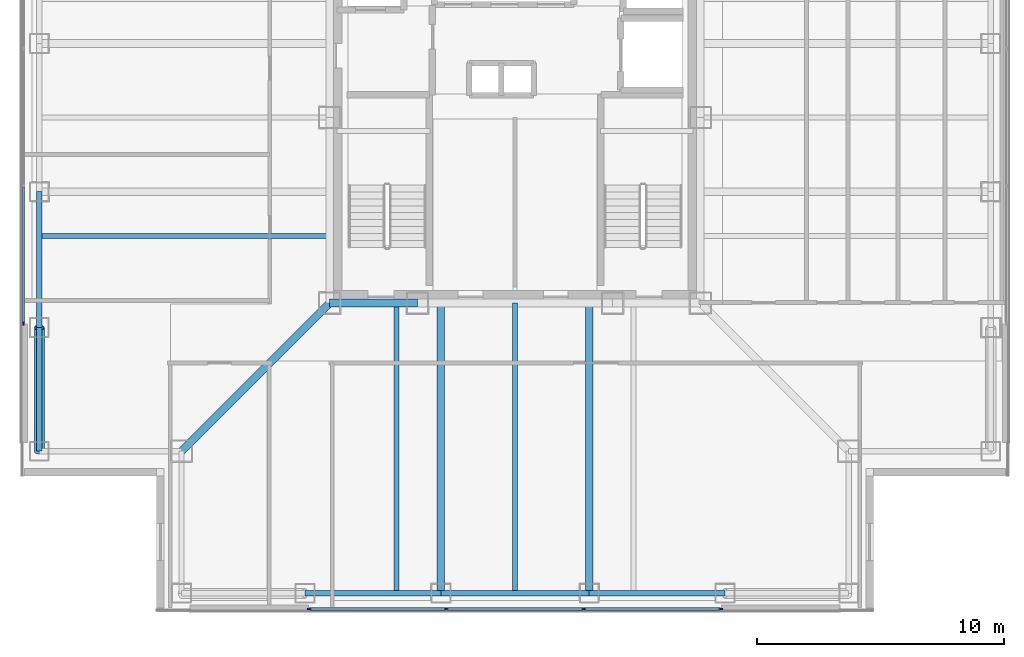
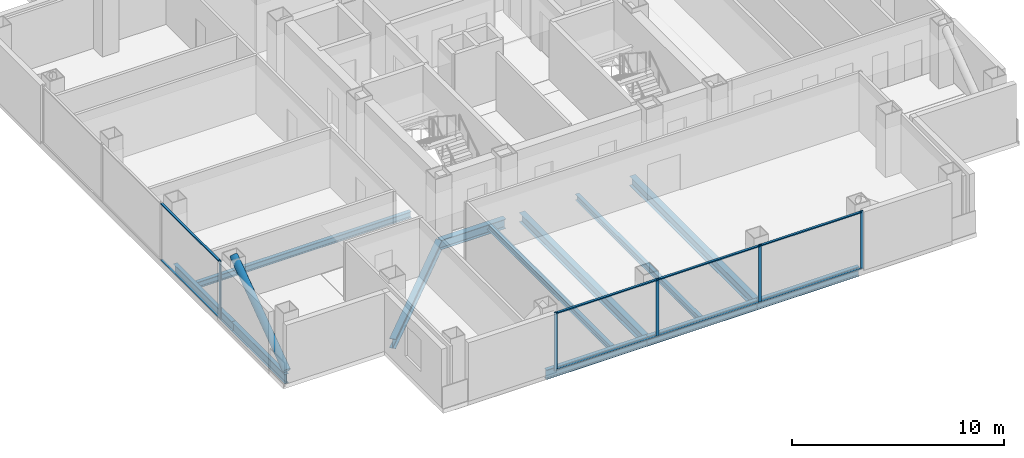
# One storey, part 2 of 16: 14 members, 12 beams, 2 elements without a shape of their own.
"""IFC4 building model written with IfcOpenShell, lengths in metres."""

import ifcopenshell
import ifcopenshell.guid

model = None  # the IFC model being written
_history = None  # IfcOwnerHistory: only IFC2X3 demands one
_inside = {}  # id of a spatial element -> (the spatial element, [elements in it])
_under = {}  # id of a project, library or spatial element -> (it, [spatial elements below it])
_declared = {}  # id of a project -> (the project, [libraries it declares])
_typed = {}  # id of a type object -> (the type object, [elements of that type])
_made_of = {}  # id of a material, layer set ... -> (it, [elements and type objects made of it])


def new_model(schema):
    """Start an empty IFC model of exactly this schema.

    Asked for "IFC4X3", IfcOpenShell would pick the latest addendum, in which some entities
    have other attributes; the version numbers below select the first issue.
    IFC2X3 requires an IfcOwnerHistory on every rooted entity: one is made here for all.
    """
    global model, _history
    if schema == "IFC4X3":
        model = ifcopenshell.file(schema_version=(4, 3, 0, 0))
    else:
        model = ifcopenshell.file(schema=schema)
    _inside.clear()
    _under.clear()
    _declared.clear()
    _typed.clear()
    _made_of.clear()
    _history = None
    if model.schema == "IFC2X3":
        org = make("IfcOrganization", Name="unknown")
        user = make(
            "IfcPersonAndOrganization",
            ThePerson=make("IfcPerson", FamilyName="unknown"),
            TheOrganization=org,
        )
        app = make(
            "IfcApplication",
            ApplicationDeveloper=org,
            Version="unknown",
            ApplicationFullName="unknown",
            ApplicationIdentifier="unknown",
        )
        _history = make(
            "IfcOwnerHistory",
            OwningUser=user,
            OwningApplication=app,
            ChangeAction="ADDED",
            CreationDate=0,
        )
    return model


def make(cls, **values):
    """One entity of the class cls with the attributes given. An attribute that is None is left unset."""
    return model.create_entity(
        cls, **{name: value for name, value in values.items() if value is not None}
    )


def rooted(cls, **values):
    """An entity with a GlobalId (a new one), such as an element, a storey or a relation."""
    return make(cls, GlobalId=ifcopenshell.guid.new(), OwnerHistory=_history, **values)


def si_unit(unit_type, name, prefix=None):
    """IfcSIUnit, for example si_unit("LENGTHUNIT", "METRE", prefix="MILLI")."""
    return make("IfcSIUnit", UnitType=unit_type, Prefix=prefix, Name=name)


def assignment(units):
    """IfcUnitAssignment: the units of a project."""
    return None if units is None else make("IfcUnitAssignment", Units=units)


def point(xyz):
    """IfcCartesianPoint."""
    return None if xyz is None else make("IfcCartesianPoint", Coordinates=xyz)


def direction(xyz):
    """IfcDirection."""
    return None if xyz is None else make("IfcDirection", DirectionRatios=xyz)


def frame(location, z_axis=None, x_axis=None):
    """IfcAxis2Placement3D, a coordinate frame: its origin and axes. An axis left out is left unset."""
    return make(
        "IfcAxis2Placement3D",
        Location=point(location),
        Axis=direction(z_axis),
        RefDirection=direction(x_axis),
    )


def frame_2d(location, x_axis=None):
    """IfcAxis2Placement2D, a coordinate frame in the plane: its origin and x axis."""
    return make(
        "IfcAxis2Placement2D", Location=point(location), RefDirection=direction(x_axis)
    )


def origin():
    """The frame at (0, 0, 0) with its axes left unset."""
    return frame((0.0, 0.0, 0.0))


def origin_2d():
    """The frame at (0, 0) in the plane with its x axis left unset."""
    return frame_2d((0.0, 0.0))


def place(relative_to, where):
    """IfcLocalPlacement: puts the frame where relative to a parent placement (None: the world)."""
    return make(
        "IfcLocalPlacement", PlacementRelTo=relative_to, RelativePlacement=where
    )


def context(
    kind, dimensions, precision=None, world=None, true_north=None, identifier=None
):
    """IfcGeometricRepresentationContext, for example the 3D "Model" context."""
    return make(
        "IfcGeometricRepresentationContext",
        ContextIdentifier=identifier,
        ContextType=kind,
        CoordinateSpaceDimension=dimensions,
        Precision=precision,
        WorldCoordinateSystem=world,
        TrueNorth=true_north,
    )


def subcontext(parent, identifier, kind, view, scale=None):
    """IfcGeometricRepresentationSubContext, for example "Body" below "Model"."""
    return make(
        "IfcGeometricRepresentationSubContext",
        ContextIdentifier=identifier,
        ContextType=kind,
        ParentContext=parent,
        TargetScale=scale,
        TargetView=view,
    )


def project(units=None, contexts=None):
    """IfcProject with its units and contexts."""
    return rooted(
        "IfcProject",
        Name="project",
        RepresentationContexts=contexts,
        UnitsInContext=assignment(units),
    )


def spatial(cls, under=None, at=None, **own):
    """A site, building, storey or space (cls), placed at a placement, below another one or the project."""
    s = rooted(cls, ObjectPlacement=at, **own)
    if under is not None:
        _under.setdefault(under.id(), (under, []))[1].append(s)
    return s


def profile(cls, at=None, kind="AREA", **sizes):
    """A parametric profile (cls). Its sizes go by their IFC names, for example OverallWidth=200.0."""
    return make(cls, ProfileType=kind, Position=at, **sizes)


def rectangle(**sizes):
    """IfcRectangleProfileDef."""
    return profile("IfcRectangleProfileDef", **sizes)


def hollow_circle(**sizes):
    """IfcCircleHollowProfileDef."""
    return profile("IfcCircleHollowProfileDef", **sizes)


def i_section(**sizes):
    """IfcIShapeProfileDef."""
    return profile("IfcIShapeProfileDef", **sizes)


def extrude(swept, where, along, depth):
    """IfcExtrudedAreaSolid: the profile swept, set in the frame where, extruded along a direction by depth."""
    return make(
        "IfcExtrudedAreaSolid",
        SweptArea=swept,
        Position=where,
        ExtrudedDirection=direction(along),
        Depth=depth,
    )


def shape(context_of_items, identifier, shape_type, items):
    """IfcShapeRepresentation: the items that make up one representation, for example the "Body"."""
    return make(
        "IfcShapeRepresentation",
        ContextOfItems=context_of_items,
        RepresentationIdentifier=identifier,
        RepresentationType=shape_type,
        Items=items,
    )


def material(Name=None, Category=None):
    """IfcMaterial."""
    return make("IfcMaterial", Name=Name, Category=Category)


def layer(
    of_material, thickness, ventilated=None, Name=None, Category=None, Priority=None
):
    """IfcMaterialLayer: one layer of a wall or slab, of a material (None: an air gap)."""
    return make(
        "IfcMaterialLayer",
        Material=of_material,
        LayerThickness=thickness,
        IsVentilated=ventilated,
        Name=Name,
        Category=Category,
        Priority=Priority,
    )


def layer_set(layers, Name=None):
    """IfcMaterialLayerSet."""
    return make("IfcMaterialLayerSet", MaterialLayers=layers, LayerSetName=Name)


def material_profile(
    of_material, cross_section, Name=None, Category=None, Priority=None
):
    """IfcMaterialProfile: a cross section and its material."""
    return make(
        "IfcMaterialProfile",
        Name=Name,
        Material=of_material,
        Profile=cross_section,
        Priority=Priority,
        Category=Category,
    )


def profile_set(profiles, Name=None, composite=None):
    """IfcMaterialProfileSet."""
    return make(
        "IfcMaterialProfileSet",
        Name=Name,
        MaterialProfiles=profiles,
        CompositeProfile=composite,
    )


def made_of(thing, what):
    """Note that an element or type object is made of a material, layer set ...; save() writes the relation."""
    if what is not None:
        _made_of.setdefault(what.id(), (what, []))[1].append(thing)
    return thing


def type_object(cls, material=None, **own):
    """A type object (cls), such as IfcWallType, which elements share."""
    return made_of(rooted(cls, **own), material)


def element(
    cls,
    number,
    at=None,
    inside=None,
    cuts=None,
    type_object=None,
    material=None,
    context=None,
    identifier="Body",
    shape_type=None,
    held_by="IfcProductDefinitionShape",
    body=None,
    shapes=None,
    **own,
):
    """One element of the class cls, such as IfcWall. Its Tag is "e" and its number.

    at: its placement. inside: the storey or other place that contains it. cuts: it is an
    opening in that element (IfcRelVoidsElement). A single representation is given by context,
    identifier, shape_type and body (its items); several are given by shapes. held_by: the class
    of the entity that holds the representations. save() writes the other relations.
    """
    e = rooted(cls, Tag="e%d" % number, ObjectPlacement=at, **own)
    if body is not None:
        shapes = [shape(context, identifier, shape_type, body)]
    if shapes is not None:
        e.Representation = make(held_by, Representations=shapes)
    if inside is not None:
        _inside.setdefault(inside.id(), (inside, []))[1].append(e)
    if cuts is not None:
        rooted(
            "IfcRelVoidsElement", RelatingBuildingElement=cuts, RelatedOpeningElement=e
        )
    if type_object is not None:
        _typed.setdefault(type_object.id(), (type_object, []))[1].append(e)
    return made_of(e, material)


def aggregate(whole, parts):
    """IfcRelAggregates: a whole, such as a stair, and the parts it consists of."""
    return rooted("IfcRelAggregates", RelatingObject=whole, RelatedObjects=parts)


def save(model, path):
    """Write the relations noted so far, then the file.

    IfcRelAggregates (storeys below a building ...), IfcRelContainedInSpatialStructure (elements
    in a storey), IfcRelDefinesByType, IfcRelAssociatesMaterial and IfcRelDeclares: one each for
    every whole, place, type object, material and project.
    """
    for whole, parts in _under.values():
        aggregate(whole, parts)
    for where, things in _inside.values():
        rooted(
            "IfcRelContainedInSpatialStructure",
            RelatedElements=things,
            RelatingStructure=where,
        )
    for kind, things in _typed.values():
        rooted("IfcRelDefinesByType", RelatedObjects=things, RelatingType=kind)
    for what, things in _made_of.values():
        rooted("IfcRelAssociatesMaterial", RelatedObjects=things, RelatingMaterial=what)
    for by, libraries in _declared.values():
        rooted("IfcRelDeclares", RelatingContext=by, RelatedDefinitions=libraries)
    model.write(path)


model = new_model("IFC4")

# Units and contexts
model_context = context("Model", 3, precision=1e-05, world=origin(), true_north=direction((0.0, 1.0)))
body_context = subcontext(model_context, "Body", "Model", "MODEL_VIEW")
ifc_project = project(units=[si_unit("LENGTHUNIT", "METRE"), si_unit("AREAUNIT", "SQUARE_METRE"), si_unit("VOLUMEUNIT", "CUBIC_METRE"), si_unit("PLANEANGLEUNIT", "RADIAN"), si_unit("MASSUNIT", "GRAM", prefix="KILO")], contexts=[model_context])

# Site, building, storey
site_placement = place(None, origin())
site = spatial("IfcSite", under=ifc_project, at=site_placement, CompositionType="ELEMENT")
building_placement = place(site_placement, origin())
building = spatial("IfcBuilding", under=site, at=building_placement, Name="Trevonay Congress Spire", CompositionType="ELEMENT")
storey_placement = place(building_placement, frame((0.0, 0.0, 202.199951171875)))
storey = spatial("IfcBuildingStorey", under=building, at=storey_placement, Name="L52", CompositionType="ELEMENT", Elevation=202.199951171875)

# Beams
ifc_material_1 = material(Name="Steel ASTM A572 Grade 50", Category="steel")
ifc_material_profile_1 = material_profile(ifc_material_1, i_section(OverallWidth=0.31201171875, OverallDepth=0.54296875, WebThickness=0.0126953125, FlangeThickness=0.020263671875, FilletRadius=0.014892578125, at=origin_2d()), Name="W530x150")
ifc_profile_set_1 = profile_set([ifc_material_profile_1], Name="Steel ASTM A572 Grade 50")
beam_type_1 = type_object("IfcBeamType", Name="BM-GIRD-W530X150", PredefinedType="BEAM", material=ifc_profile_set_1)
beam_1_placement = place(storey_placement, frame((-7.5, -7.5, -0.511474609375), z_axis=(1.0, 0.0, 0.0), x_axis=(0.0, 1.0, 0.0)))
element("IfcBeam", 1, at=beam_1_placement, inside=storey, type_object=beam_type_1, Name="L52 structural beam BM-L52-CR-S1", PredefinedType="BEAM", context=body_context, shape_type="SweptSolid", body=[
    extrude(i_section(OverallWidth=0.31201171875, OverallDepth=0.54296875, WebThickness=0.0126953125, FlangeThickness=0.020263671875, FilletRadius=0.014892578125, at=origin_2d()), origin(), (0.0, 0.0, 1.0), 3.550048828125),
])
beam_2_placement = place(storey_placement, frame((-7.5, -7.5, -0.511474609375), z_axis=(-0.707106781187, -0.707106781187, 0.0), x_axis=(0.707106781187, -0.707106781187, 0.0)))
element("IfcBeam", 2, at=beam_2_placement, inside=storey, type_object=beam_type_1, Name="L52 structural beam BM-L52-CDSW", PredefinedType="BEAM", context=body_context, shape_type="SweptSolid", body=[
    extrude(i_section(OverallWidth=0.31201171875, OverallDepth=0.54296875, WebThickness=0.0126953125, FlangeThickness=0.020263671875, FilletRadius=0.014892578125, at=origin_2d()), origin(), (0.0, 0.0, 1.0), 8.4853515625),
])
for number, where, z_axis, x_axis, name in (
    (3, (-3.0, -7.5, -0.511474609375), (0.0, -1.0, 0.0), (1.0, 0.0, 0.0), "L52 structural beam BM-L52-GS-M"),
    (4, (3.0, -7.5, -0.511474609375), (0.0, -1.0, 0.0), (1.0, 0.0, 0.0), "L52 structural beam BM-L52-GS-P"),
):
    element("IfcBeam", number, at=place(storey_placement, frame(where, z_axis=z_axis, x_axis=x_axis)), inside=storey, type_object=beam_type_1, Name=name, PredefinedType="BEAM", context=body_context, shape_type="SweptSolid", body=[
        extrude(i_section(OverallWidth=0.31201171875, OverallDepth=0.54296875, WebThickness=0.0126953125, FlangeThickness=0.020263671875, FilletRadius=0.014892578125, at=origin_2d()), origin(), (0.0, 0.0, 1.0), 11.75),
    ])
ifc_material_profile_2 = material_profile(ifc_material_1, i_section(OverallWidth=0.2119140625, OverallDepth=0.5439453125, WebThickness=0.01318359375, FlangeThickness=0.021240234375, FilletRadius=0.014892578125, at=origin_2d()), Name="W530x123")
ifc_profile_set_2 = profile_set([ifc_material_profile_2], Name="Steel ASTM A572 Grade 50")
beam_type_2 = type_object("IfcBeamType", Name="BM-RING-W530X123", PredefinedType="BEAM", material=ifc_profile_set_2)
beam_3_placement = place(storey_placement, frame((-19.25, -13.5, -0.511962890625), z_axis=(0.0, 1.0, 0.0), x_axis=(-1.0, 0.0, 0.0)))
element("IfcBeam", 5, at=beam_3_placement, inside=storey, type_object=beam_type_2, Name="L52 structural beam BM-L52-PW1", PredefinedType="BEAM", context=body_context, shape_type="SweptSolid", body=[
    extrude(i_section(OverallWidth=0.2119140625, OverallDepth=0.5439453125, WebThickness=0.01318359375, FlangeThickness=0.021240234375, FilletRadius=0.014892578125, at=origin_2d()), origin(), (0.0, 0.0, 1.0), 5.0),
])
for number, where, z_axis, x_axis, name in (
    (6, (-8.5, -19.25, -0.511962890625), (1.0, 0.0, 0.0), (0.0, 1.0, 0.0), "L52 structural beam BM-L52-PS2"),
    (7, (-19.25, -8.5, -0.511962890625), (0.0, 1.0, 0.0), (-1.0, 0.0, 0.0), "L52 structural beam BM-L52-PW2"),
):
    element("IfcBeam", number, at=place(storey_placement, frame(where, z_axis=z_axis, x_axis=x_axis)), inside=storey, type_object=beam_type_2, Name=name, PredefinedType="BEAM", context=body_context, shape_type="SweptSolid", body=[
        extrude(i_section(OverallWidth=0.2119140625, OverallDepth=0.5439453125, WebThickness=0.01318359375, FlangeThickness=0.021240234375, FilletRadius=0.014892578125, at=origin_2d()), origin(), (0.0, 0.0, 1.0), 5.5),
    ])
beam_4_placement = place(storey_placement, frame((-3.0, -19.25, -0.511962890625), z_axis=(1.0, 0.0, 0.0), x_axis=(0.0, 1.0, 0.0)))
element("IfcBeam", 8, at=beam_4_placement, inside=storey, type_object=beam_type_2, Name="L52 structural beam BM-L52-PS3", PredefinedType="BEAM", context=body_context, shape_type="SweptSolid", body=[
    extrude(i_section(OverallWidth=0.2119140625, OverallDepth=0.5439453125, WebThickness=0.01318359375, FlangeThickness=0.021240234375, FilletRadius=0.014892578125, at=origin_2d()), origin(), (0.0, 0.0, 1.0), 6.0),
])
beam_5_placement = place(storey_placement, frame((3.0, -19.25, -0.511962890625), z_axis=(1.0, 0.0, 0.0), x_axis=(0.0, 1.0, 0.0)))
element("IfcBeam", 9, at=beam_5_placement, inside=storey, type_object=beam_type_2, Name="L52 structural beam BM-L52-PS4", PredefinedType="BEAM", context=body_context, shape_type="SweptSolid", body=[
    extrude(i_section(OverallWidth=0.2119140625, OverallDepth=0.5439453125, WebThickness=0.01318359375, FlangeThickness=0.021240234375, FilletRadius=0.014892578125, at=origin_2d()), origin(), (0.0, 0.0, 1.0), 5.5),
])

# Curtain wall, members
ifc_material_2 = material(Name="Pale Anodised Aluminium EN AW-6063-T6", Category="aluminium")
ifc_layer = layer(ifc_material_2, 0.169921875, Name="Pale Anodised Aluminium EN AW-6063-T6")
ifc_layer_set = layer_set([ifc_layer], Name="Pale Anodised Aluminium EN AW-6063-T6")
curtain_wall_type = type_object("IfcCurtainWallType", Name="CW-SYS04-CORP-PALE-METAL", PredefinedType="NOTDEFINED", material=ifc_layer_set)
curtain_wall_1_placement = place(storey_placement, origin())
curtain_wall_1 = element("IfcCurtainWall", 10, at=curtain_wall_1_placement, inside=storey, type_object=curtain_wall_type, Name="L52 S unitised curtain wall", PredefinedType="NOTDEFINED")
ifc_material_profile_3 = material_profile(ifc_material_2, rectangle(XDim=0.06005859375, YDim=0.159912109375, at=origin_2d()), Name="CW-MULLION-160-ALUMINIUM")
ifc_profile_set_3 = profile_set([ifc_material_profile_3], Name="Pale Anodised Aluminium EN AW-6063-T6")
member_type_1 = type_object("IfcMemberType", Name="CW-MULLION-160-ALUMINIUM", PredefinedType="MULLION", material=ifc_profile_set_3)
member_1_placement = place(storey_placement, frame((-8.320068359375, -19.8798828125, 0.0), z_axis=(0.0, 0.0, 1.0), x_axis=(0.0, 1.0, 0.0)))
member_1 = element("IfcMember", 11, at=member_1_placement, type_object=member_type_1, Name="CW04 mullion 1", PredefinedType="MULLION", context=body_context, shape_type="SweptSolid", body=[
    extrude(rectangle(XDim=0.06005859375, YDim=0.159912109375, at=origin_2d()), origin(), (0.0, 0.0, 1.0), 3.360107421875),
])
member_2_placement = place(storey_placement, frame((-2.783447265625, -19.8798828125, 0.0), z_axis=(0.0, 0.0, 1.0), x_axis=(0.0, 1.0, 0.0)))
member_2 = element("IfcMember", 12, at=member_2_placement, type_object=member_type_1, Name="CW04 mullion 2", PredefinedType="MULLION", context=body_context, shape_type="SweptSolid", body=[
    extrude(rectangle(XDim=0.06005859375, YDim=0.159912109375, at=origin_2d()), origin(), (0.0, 0.0, 1.0), 3.360107421875),
])
member_3_placement = place(storey_placement, frame((2.783447265625, -19.8798828125, 0.0), z_axis=(0.0, 0.0, 1.0), x_axis=(0.0, 1.0, 0.0)))
member_3 = element("IfcMember", 13, at=member_3_placement, type_object=member_type_1, Name="CW04 mullion 3", PredefinedType="MULLION", context=body_context, shape_type="SweptSolid", body=[
    extrude(rectangle(XDim=0.06005859375, YDim=0.159912109375, at=origin_2d()), origin(), (0.0, 0.0, 1.0), 3.360107421875),
])
member_4_placement = place(storey_placement, frame((8.320068359375, -19.8798828125, 0.0), z_axis=(0.0, 0.0, 1.0), x_axis=(0.0, 1.0, 0.0)))
member_4 = element("IfcMember", 14, at=member_4_placement, type_object=member_type_1, Name="CW04 mullion 4", PredefinedType="MULLION", context=body_context, shape_type="SweptSolid", body=[
    extrude(rectangle(XDim=0.06005859375, YDim=0.159912109375, at=origin_2d()), origin(), (0.0, 0.0, 1.0), 3.360107421875),
])

# Curtain wall, member
curtain_wall_2_placement = place(storey_placement, origin())
curtain_wall_2 = element("IfcCurtainWall", 15, at=curtain_wall_2_placement, inside=storey, type_object=curtain_wall_type, Name="L52 W unitised curtain wall", PredefinedType="NOTDEFINED")
member_5_placement = place(storey_placement, frame((-19.8798828125, -8.320068359375, 0.0), z_axis=(0.0, 0.0, 1.0), x_axis=(-1.0, 0.0, 0.0)))
member_5 = element("IfcMember", 16, at=member_5_placement, type_object=member_type_1, Name="CW04 mullion 1", PredefinedType="MULLION", context=body_context, shape_type="SweptSolid", body=[
    extrude(rectangle(XDim=0.06005859375, YDim=0.159912109375, at=origin_2d()), origin(), (0.0, 0.0, 1.0), 3.360107421875),
])

# Member
ifc_material_profile_4 = material_profile(ifc_material_2, rectangle(XDim=0.1201171875, YDim=0.06005859375, at=origin_2d()), Name="CW-TRANSOM-120-ALUMINIUM")
ifc_profile_set_4 = profile_set([ifc_material_profile_4], Name="Pale Anodised Aluminium EN AW-6063-T6")
member_type_2 = type_object("IfcMemberType", Name="CW-TRANSOM-120-ALUMINIUM", PredefinedType="USERDEFINED", material=ifc_profile_set_4)
member_6_placement = place(storey_placement, frame((-8.2900390625, -19.8798828125, 0.06005859375), z_axis=(1.0, 0.0, 0.0), x_axis=(0.0, 1.0, 0.0)))
member_6 = element("IfcMember", 17, at=member_6_placement, type_object=member_type_2, Name="CW04 transom 1.1", ObjectType="TRANSOM", PredefinedType="USERDEFINED", context=body_context, shape_type="SweptSolid", body=[
    extrude(rectangle(XDim=0.1201171875, YDim=0.06005859375, at=origin_2d()), origin(), (0.0, 0.0, 1.0), 5.476806640625),
])

member_7_placement = place(storey_placement, frame((-8.2900390625, -19.8798828125, 3.300048828125), z_axis=(1.0, 0.0, 0.0), x_axis=(0.0, 1.0, 0.0)))
member_7 = element("IfcMember", 18, at=member_7_placement, type_object=member_type_2, Name="CW04 transom 1.2", ObjectType="TRANSOM", PredefinedType="USERDEFINED", context=body_context, shape_type="SweptSolid", body=[
    extrude(rectangle(XDim=0.1201171875, YDim=0.06005859375, at=origin_2d()), origin(), (0.0, 0.0, 1.0), 5.476806640625),
])

member_8_placement = place(storey_placement, frame((-2.75341796875, -19.8798828125, 0.06005859375), z_axis=(1.0, 0.0, 0.0), x_axis=(0.0, 1.0, 0.0)))
member_8 = element("IfcMember", 19, at=member_8_placement, type_object=member_type_2, Name="CW04 transom 2.1", ObjectType="TRANSOM", PredefinedType="USERDEFINED", context=body_context, shape_type="SweptSolid", body=[
    extrude(rectangle(XDim=0.1201171875, YDim=0.06005859375, at=origin_2d()), origin(), (0.0, 0.0, 1.0), 5.5068359375),
])

member_9_placement = place(storey_placement, frame((-2.75341796875, -19.8798828125, 3.300048828125), z_axis=(1.0, 0.0, 0.0), x_axis=(0.0, 1.0, 0.0)))
member_9 = element("IfcMember", 20, at=member_9_placement, type_object=member_type_2, Name="CW04 transom 2.2", ObjectType="TRANSOM", PredefinedType="USERDEFINED", context=body_context, shape_type="SweptSolid", body=[
    extrude(rectangle(XDim=0.1201171875, YDim=0.06005859375, at=origin_2d()), origin(), (0.0, 0.0, 1.0), 5.5068359375),
])

member_10_placement = place(storey_placement, frame((2.813232421875, -19.8798828125, 0.06005859375), z_axis=(1.0, 0.0, 0.0), x_axis=(0.0, 1.0, 0.0)))
member_10 = element("IfcMember", 21, at=member_10_placement, type_object=member_type_2, Name="CW04 transom 3.1", ObjectType="TRANSOM", PredefinedType="USERDEFINED", context=body_context, shape_type="SweptSolid", body=[
    extrude(rectangle(XDim=0.1201171875, YDim=0.06005859375, at=origin_2d()), origin(), (0.0, 0.0, 1.0), 5.476806640625),
])

member_11_placement = place(storey_placement, frame((2.813232421875, -19.8798828125, 3.300048828125), z_axis=(1.0, 0.0, 0.0), x_axis=(0.0, 1.0, 0.0)))
member_11 = element("IfcMember", 22, at=member_11_placement, type_object=member_type_2, Name="CW04 transom 3.2", ObjectType="TRANSOM", PredefinedType="USERDEFINED", context=body_context, shape_type="SweptSolid", body=[
    extrude(rectangle(XDim=0.1201171875, YDim=0.06005859375, at=origin_2d()), origin(), (0.0, 0.0, 1.0), 5.476806640625),
])

aggregate(curtain_wall_1, [member_1, member_2, member_3, member_4, member_6, member_7, member_8, member_9, member_10, member_11])

member_12_placement = place(storey_placement, frame((-19.8798828125, -8.2900390625, 0.06005859375), z_axis=(0.0, 1.0, 0.0), x_axis=(-1.0, 0.0, 0.0)))
member_12 = element("IfcMember", 23, at=member_12_placement, type_object=member_type_2, Name="CW04 transom 1.1", ObjectType="TRANSOM", PredefinedType="USERDEFINED", context=body_context, shape_type="SweptSolid", body=[
    extrude(rectangle(XDim=0.1201171875, YDim=0.06005859375, at=origin_2d()), origin(), (0.0, 0.0, 1.0), 5.476806640625),
])

member_13_placement = place(storey_placement, frame((-19.8798828125, -8.2900390625, 3.300048828125), z_axis=(0.0, 1.0, 0.0), x_axis=(-1.0, 0.0, 0.0)))
member_13 = element("IfcMember", 24, at=member_13_placement, type_object=member_type_2, Name="CW04 transom 1.2", ObjectType="TRANSOM", PredefinedType="USERDEFINED", context=body_context, shape_type="SweptSolid", body=[
    extrude(rectangle(XDim=0.1201171875, YDim=0.06005859375, at=origin_2d()), origin(), (0.0, 0.0, 1.0), 5.476806640625),
])

aggregate(curtain_wall_2, [member_5, member_12, member_13])

# Beams
ifc_material_profile_5 = material_profile(ifc_material_1, i_section(OverallWidth=0.205078125, OverallDepth=0.35400390625, WebThickness=0.009521484375, FlangeThickness=0.016845703125, FilletRadius=0.011962890625, at=origin_2d()), Name="W360x79")
ifc_profile_set_5 = profile_set([ifc_material_profile_5], Name="Steel ASTM A572 Grade 50")
beam_type_3 = type_object("IfcBeamType", Name="JS-COMP-W360X79", PredefinedType="JOIST", material=ifc_profile_set_5)
for number, where, z_axis, x_axis, name in (
    (25, (-4.800048828125, -19.25, -0.4169921875), (0.0, 1.0, 0.0), (-1.0, 0.0, 0.0), "L52 structural beam JS-L52-NS-S1"),
    (26, (-19.25, -4.800048828125, -0.4169921875), (1.0, 0.0, 0.0), (0.0, 1.0, 0.0), "L52 structural beam JS-L52-EW-W1"),
    (27, (0.0, -19.25, -0.4169921875), (0.0, 1.0, 0.0), (-1.0, 0.0, 0.0), "L52 structural beam JS-L52-NS-S2"),
):
    element("IfcBeam", number, at=place(storey_placement, frame(where, z_axis=z_axis, x_axis=x_axis)), inside=storey, type_object=beam_type_3, Name=name, PredefinedType="JOIST", context=body_context, shape_type="SweptSolid", body=[
        extrude(i_section(OverallWidth=0.205078125, OverallDepth=0.35400390625, WebThickness=0.009521484375, FlangeThickness=0.016845703125, FilletRadius=0.011962890625, at=origin_2d()), origin(), (0.0, 0.0, 1.0), 11.75),
    ])

# Member
ifc_material_3 = material(Name="Steel ASTM A500 Grade C", Category="steel")
ifc_material_profile_6 = material_profile(ifc_material_3, hollow_circle(Radius=0.203125, WallThickness=0.02001953125, at=origin_2d()), Name="CHS 406.4x20")
ifc_profile_set_6 = profile_set([ifc_material_profile_6], Name="Steel ASTM A500 Grade C")
member_type_3 = type_object("IfcMemberType", Name="MBR-TUBE-CHS406", PredefinedType="BRACE", material=ifc_profile_set_6)
member_14_placement = place(storey_placement, frame((-19.25, -13.5, -0.050048828125), z_axis=(0.0, 0.811526825515, 0.584315164504), x_axis=(-1.0, 0.0, 0.0)))
element("IfcMember", 28, at=member_14_placement, inside=storey, type_object=member_type_3, Name="L52 perimeter braced-tube diagonal W0", PredefinedType="BRACE", context=body_context, shape_type="SweptSolid", body=[
    extrude(hollow_circle(Radius=0.203125, WallThickness=0.02001953125, at=origin_2d()), origin(), (0.0, 0.0, 1.0), 6.1611328125),
])

save(model, "model.ifc")
